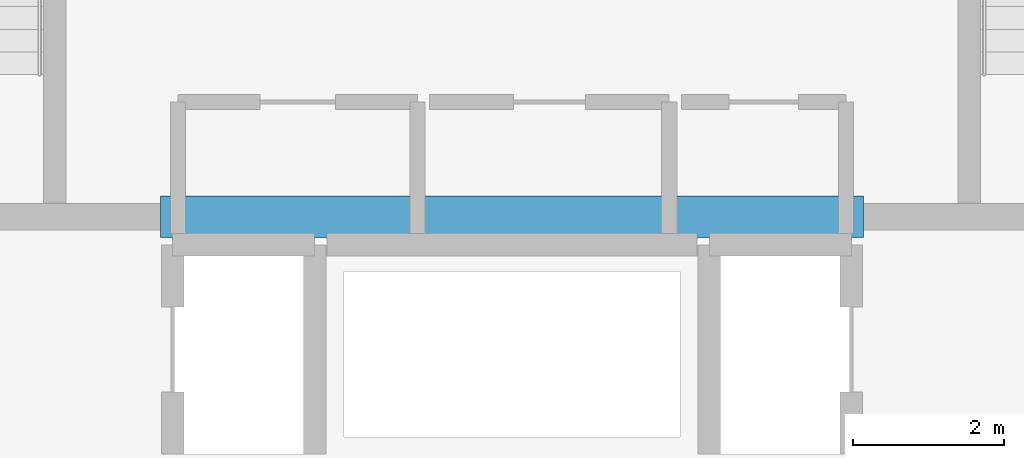
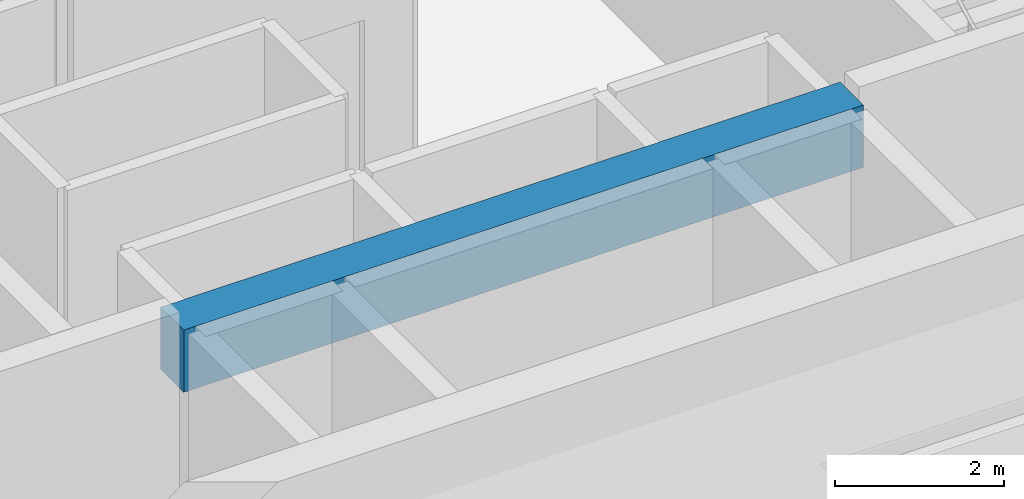
# One storey, part 10 of 41: 1 beam.
"""IFC4 building model written with IfcOpenShell, lengths in metres."""

from ifc_helpers import new_model, si_unit, direction, frame, origin, origin_2d, place, context, subcontext, project, spatial, rectangle, extrude, material, material_profile, profile_set, type_object, element, save


model = new_model("IFC4")

# Units and contexts
model_context = context("Model", 3, precision=1e-05, world=origin(), true_north=direction((0.0, 1.0)))
body_context = subcontext(model_context, "Body", "Model", "MODEL_VIEW")
ifc_project = project(units=[si_unit("LENGTHUNIT", "METRE"), si_unit("AREAUNIT", "SQUARE_METRE"), si_unit("VOLUMEUNIT", "CUBIC_METRE"), si_unit("PLANEANGLEUNIT", "RADIAN"), si_unit("MASSUNIT", "GRAM", prefix="KILO")], contexts=[model_context])

# Site, building, storey
site_placement = place(None, origin())
site = spatial("IfcSite", under=ifc_project, at=site_placement, CompositionType="ELEMENT")
building_placement = place(site_placement, origin())
building = spatial("IfcBuilding", under=site, at=building_placement, Name="Punatoya Terracotta Tower", CompositionType="ELEMENT")
storey_placement = place(building_placement, frame((0.0, 0.0, 292.199951171875)))
storey = spatial("IfcBuildingStorey", under=building, at=storey_placement, Name="L69", CompositionType="ELEMENT", Elevation=292.199951171875)

# Beam
ifc_material = material(Name="Concrete C50/60", Category="concrete")
ifc_material_profile = material_profile(ifc_material, rectangle(XDim=0.550048828125, YDim=0.89990234375, at=origin_2d()))
ifc_profile_set = profile_set([ifc_material_profile], Name="Concrete C50/60")
beam_type = type_object("IfcBeamType", Name="BM-RC-900", PredefinedType="LINTEL", material=ifc_profile_set)
beam_placement = place(storey_placement, frame((-4.64990234375, -5.679931640625, 3.550048828125), z_axis=(1.0, 0.0, 0.0), x_axis=(0.0, 1.0, 0.0)))
element("IfcBeam", 1, at=beam_placement, inside=storey, type_object=beam_type, Name="L69 Core Coupling Lintel CSW", PredefinedType="LINTEL", context=body_context, shape_type="SweptSolid", body=[
    extrude(rectangle(XDim=0.550048828125, YDim=0.89990234375, at=origin_2d()), origin(), (0.0, 0.0, 1.0), 9.2998046875),
])

save(model, "model.ifc")
